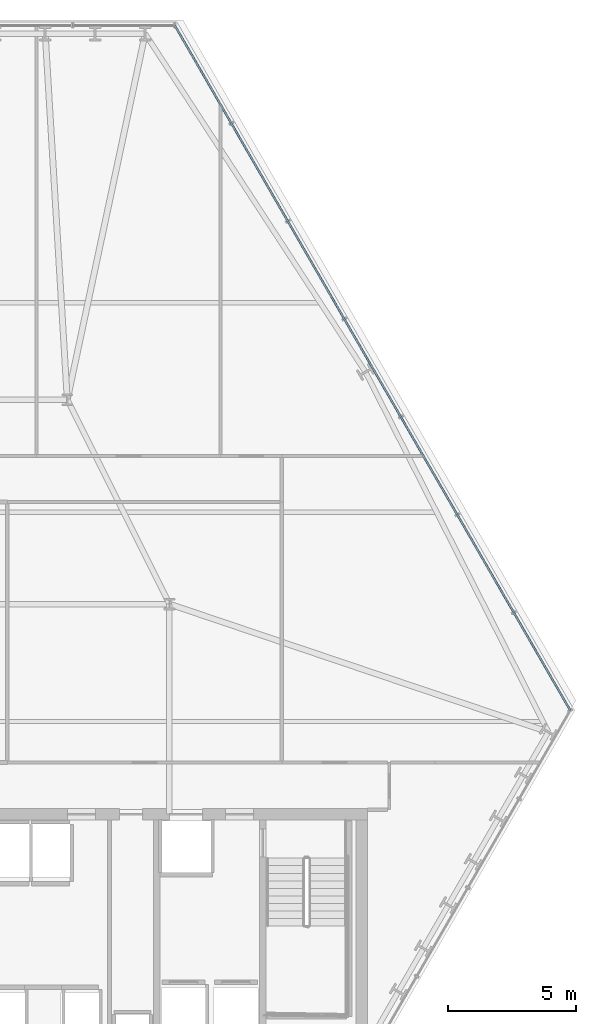
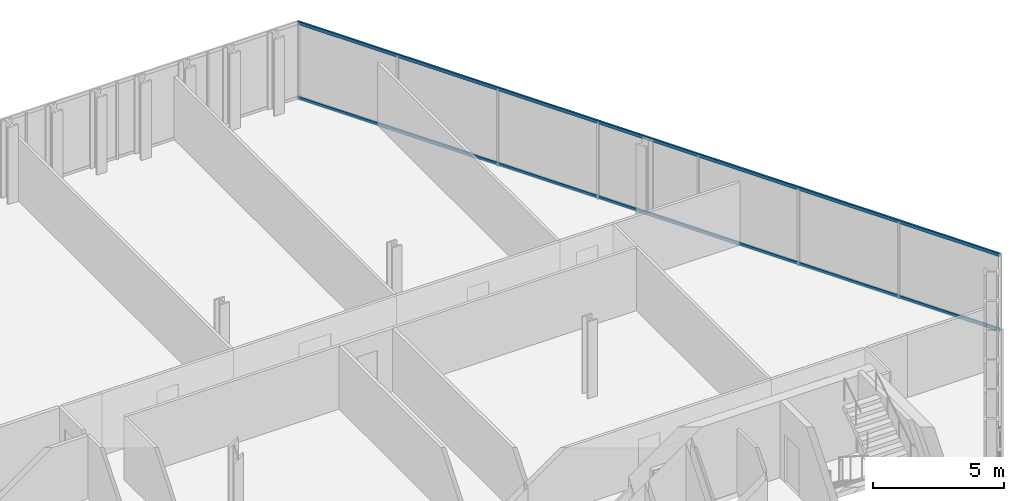
# One storey, part 18 of 32: 2 members, 1 element without a shape of its own.
"""IFC4 building model written with IfcOpenShell, lengths in metres."""

from ifc_helpers import new_model, si_unit, direction, frame, origin, origin_2d, place, context, subcontext, project, spatial, hollow_rectangle, extrude, material, layer, layer_set, material_profile, profile_set, type_object, element, aggregate, save


model = new_model("IFC4")

# Units and contexts
model_context = context("Model", 3, precision=1e-05, world=origin(), true_north=direction((0.0, 1.0)))
body_context = subcontext(model_context, "Body", "Model", "MODEL_VIEW")
ifc_project = project(units=[si_unit("LENGTHUNIT", "METRE"), si_unit("AREAUNIT", "SQUARE_METRE"), si_unit("VOLUMEUNIT", "CUBIC_METRE"), si_unit("PLANEANGLEUNIT", "RADIAN"), si_unit("MASSUNIT", "GRAM", prefix="KILO")], contexts=[model_context])

# Site, building, storey
site_placement = place(None, origin())
site = spatial("IfcSite", under=ifc_project, at=site_placement, CompositionType="ELEMENT")
building_placement = place(site_placement, origin())
building = spatial("IfcBuilding", under=site, at=building_placement, Name="Ndaravel Arena Tower", CompositionType="ELEMENT")
storey_placement = place(building_placement, frame((0.0, 0.0, 47.39990234375)))
storey = spatial("IfcBuildingStorey", under=building, at=storey_placement, Name="L09", CompositionType="ELEMENT", Elevation=47.39990234375)

# Curtain wall, members
ifc_material_1 = material(Name="Aluminium", Category="aluminium")
ifc_layer = layer(ifc_material_1, 0.179931640625)
ifc_layer_set = layer_set([ifc_layer], Name="Aluminium")
curtain_wall_type = type_object("IfcCurtainWallType", Name="CW-SYS-03", PredefinedType="NOTDEFINED", material=ifc_layer_set)
curtain_wall_placement = place(storey_placement, origin())
curtain_wall = element("IfcCurtainWall", 1, at=curtain_wall_placement, inside=storey, type_object=curtain_wall_type, Name="L09 Faceted Crystal Curtain Wall CW-L09-E03", PredefinedType="NOTDEFINED")
ifc_material_2 = material(Name="Aluminium", Category="aluminium")
ifc_material_profile = material_profile(ifc_material_2, hollow_rectangle(XDim=0.074951171875, YDim=0.14990234375, WallThickness=0.00390625, at=origin_2d()), Name="CW TRANSOM 75x150x4")
ifc_profile_set = profile_set([ifc_material_profile], Name="Aluminium")
member_type = type_object("IfcMemberType", Name="MEM-CW-TRN150", PredefinedType="USERDEFINED", material=ifc_profile_set)
member_1_placement = place(storey_placement, frame((65.4931640625, 19.03955078125, 0.0400390625), z_axis=(-0.500004826597, 0.866022617129, 0.0), x_axis=(-0.866022617129, -0.500004826597, 0.0)))
member_1 = element("IfcMember", 2, at=member_1_placement, type_object=member_type, Name="CW-L09-E03 Transom 01", ObjectType="TRANSOM", PredefinedType="USERDEFINED", context=body_context, shape_type="SweptSolid", body=[
    extrude(hollow_rectangle(XDim=0.074951171875, YDim=0.14990234375, WallThickness=0.00390625, at=origin_2d()), origin(), (0.0, 0.0, 1.0), 30.959716796875),
])
member_2_placement = place(storey_placement, frame((65.4931640625, 19.03955078125, 3.5400390625), z_axis=(-0.500004826597, 0.866022617129, 0.0), x_axis=(-0.866022617129, -0.500004826597, 0.0)))
member_2 = element("IfcMember", 3, at=member_2_placement, type_object=member_type, Name="CW-L09-E03 Transom 02", ObjectType="TRANSOM", PredefinedType="USERDEFINED", context=body_context, shape_type="SweptSolid", body=[
    extrude(hollow_rectangle(XDim=0.074951171875, YDim=0.14990234375, WallThickness=0.00390625, at=origin_2d()), origin(), (0.0, 0.0, 1.0), 30.959716796875),
])
aggregate(curtain_wall, [member_1, member_2])

save(model, "model.ifc")
